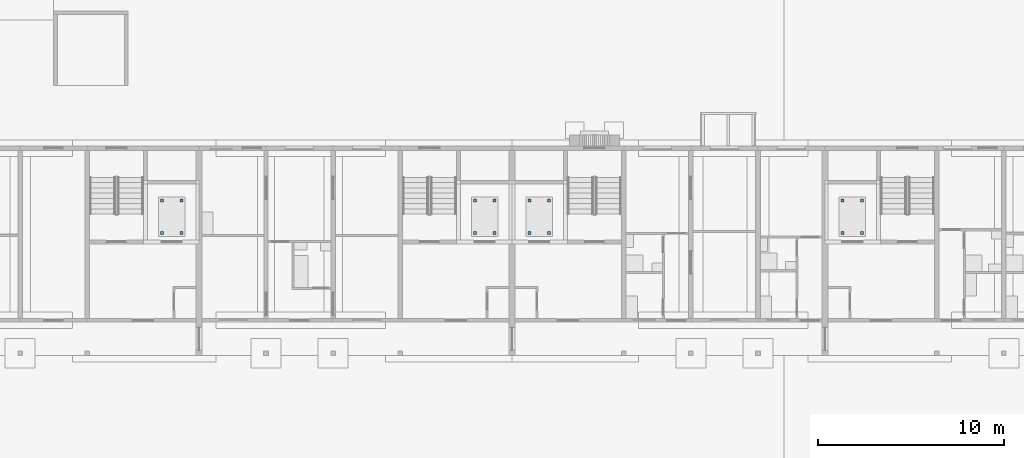
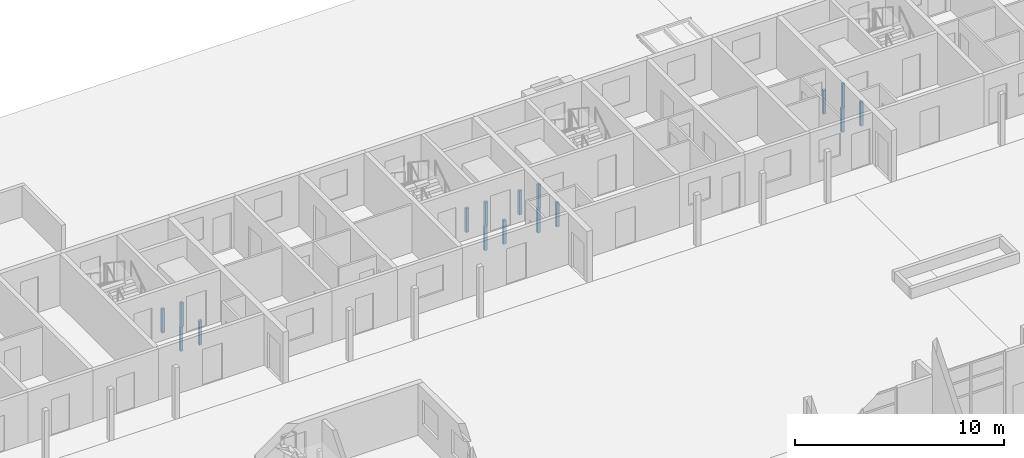
# One storey, part 81 of 112: 16 discrete accessories.
"""IFC4 building model written with IfcOpenShell, lengths in metres."""

from ifc_helpers import new_model, si_unit, direction, frame, origin, origin_2d, place, context, subcontext, project, spatial, rectangle, extrude, material, type_object, element, save


model = new_model("IFC4")

# Units and contexts
model_context = context("Model", 3, precision=1e-05, world=origin(), true_north=direction((0.0, 1.0)))
body_context = subcontext(model_context, "Body", "Model", "MODEL_VIEW")
ifc_project = project(units=[si_unit("LENGTHUNIT", "METRE"), si_unit("AREAUNIT", "SQUARE_METRE"), si_unit("VOLUMEUNIT", "CUBIC_METRE"), si_unit("PLANEANGLEUNIT", "RADIAN"), si_unit("MASSUNIT", "GRAM", prefix="KILO")], contexts=[model_context])

# Site, building, storey
site_placement = place(None, origin())
site = spatial("IfcSite", under=ifc_project, at=site_placement, CompositionType="ELEMENT")
building_placement = place(site_placement, origin())
building = spatial("IfcBuilding", under=site, at=building_placement, Name="Ridgestep Commons", CompositionType="ELEMENT")
storey_placement = place(building_placement, origin())
storey = spatial("IfcBuildingStorey", under=building, at=storey_placement, Name="L00", CompositionType="ELEMENT", Elevation=0.0)

# Discrete accessories
ifc_material = material(Name="Structural steel S355JR", Category="steel")
discrete_accessory_type = type_object("IfcDiscreteAccessoryType", Name="Lift buffer stand 150 x 150", PredefinedType="BRACKET", material=ifc_material)
for number, where, z_axis, x_axis, name in (
    (1, (161.612548828125, 72.574951171875, -1.39990234375), (0.0, 0.0, 1.0), (1.0, 0.0, 0.0), "Lift buffer stand C1C 1"),
    (2, (162.66259765625, 72.574951171875, -1.39990234375), (0.0, 0.0, 1.0), (1.0, 0.0, 0.0), "Lift buffer stand C1C 2"),
    (3, (161.612548828125, 74.324951171875, -1.39990234375), (0.0, 0.0, 1.0), (1.0, 0.0, 0.0), "Lift buffer stand C1C 3"),
    (4, (162.66259765625, 74.324951171875, -1.39990234375), (0.0, 0.0, 1.0), (1.0, 0.0, 0.0), "Lift buffer stand C1C 4"),
    (5, (178.41259765625, 72.574951171875, -1.39990234375), (0.0, 0.0, 1.0), (1.0, 0.0, 0.0), "Lift buffer stand C2C 1"),
    (6, (179.46240234375, 72.574951171875, -1.39990234375), (0.0, 0.0, 1.0), (1.0, 0.0, 0.0), "Lift buffer stand C2C 2"),
    (7, (178.41259765625, 74.324951171875, -1.39990234375), (0.0, 0.0, 1.0), (1.0, 0.0, 0.0), "Lift buffer stand C2C 3"),
    (8, (179.46240234375, 74.324951171875, -1.39990234375), (0.0, 0.0, 1.0), (1.0, 0.0, 0.0), "Lift buffer stand C2C 4"),
    (9, (181.33740234375, 72.574951171875, -1.39990234375), (0.0, 0.0, 1.0), (1.0, 0.0, 0.0), "Lift buffer stand C3C 1"),
    (10, (182.387451171875, 72.574951171875, -1.39990234375), (0.0, 0.0, 1.0), (1.0, 0.0, 0.0), "Lift buffer stand C3C 2"),
    (11, (181.33740234375, 74.324951171875, -1.39990234375), (0.0, 0.0, 1.0), (1.0, 0.0, 0.0), "Lift buffer stand C3C 3"),
    (12, (182.387451171875, 74.324951171875, -1.39990234375), (0.0, 0.0, 1.0), (1.0, 0.0, 0.0), "Lift buffer stand C3C 4"),
    (13, (198.137451171875, 72.574951171875, -1.39990234375), (0.0, 0.0, 1.0), (1.0, 0.0, 0.0), "Lift buffer stand C4C 1"),
    (14, (199.1875, 72.574951171875, -1.39990234375), (0.0, 0.0, 1.0), (1.0, 0.0, 0.0), "Lift buffer stand C4C 2"),
    (15, (198.137451171875, 74.324951171875, -1.39990234375), (0.0, 0.0, 1.0), (1.0, 0.0, 0.0), "Lift buffer stand C4C 3"),
    (16, (199.1875, 74.324951171875, -1.39990234375), (0.0, 0.0, 1.0), (1.0, 0.0, 0.0), "Lift buffer stand C4C 4"),
):
    element("IfcDiscreteAccessory", number, at=place(storey_placement, frame(where, z_axis=z_axis, x_axis=x_axis)), inside=storey, type_object=discrete_accessory_type, Name=name, PredefinedType="BRACKET", context=body_context, shape_type="SweptSolid", body=[
        extrude(rectangle(XDim=0.14990234375, YDim=0.14990234375, at=origin_2d()), origin(), (0.0, 0.0, 1.0), 1.39990234375),
    ])

save(model, "model.ifc")
